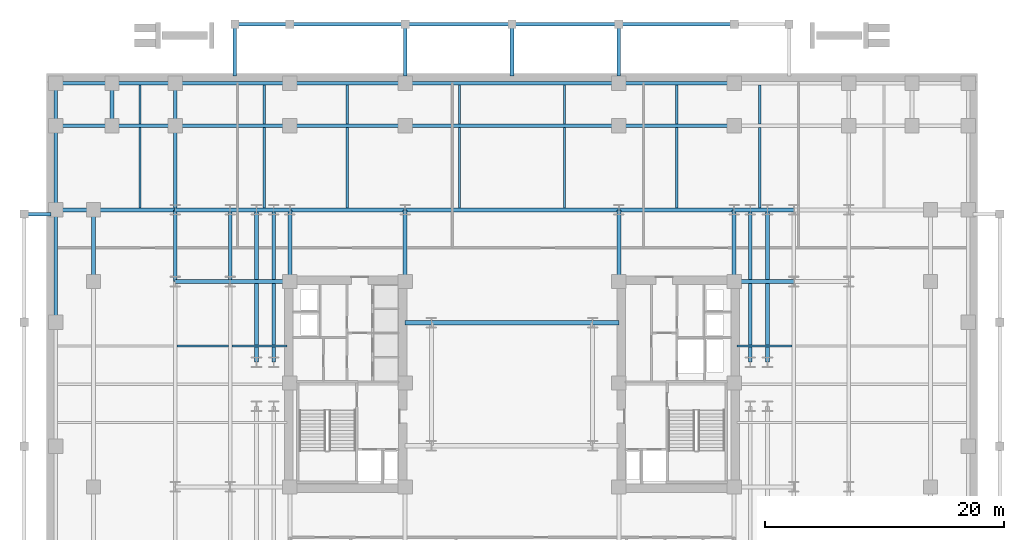
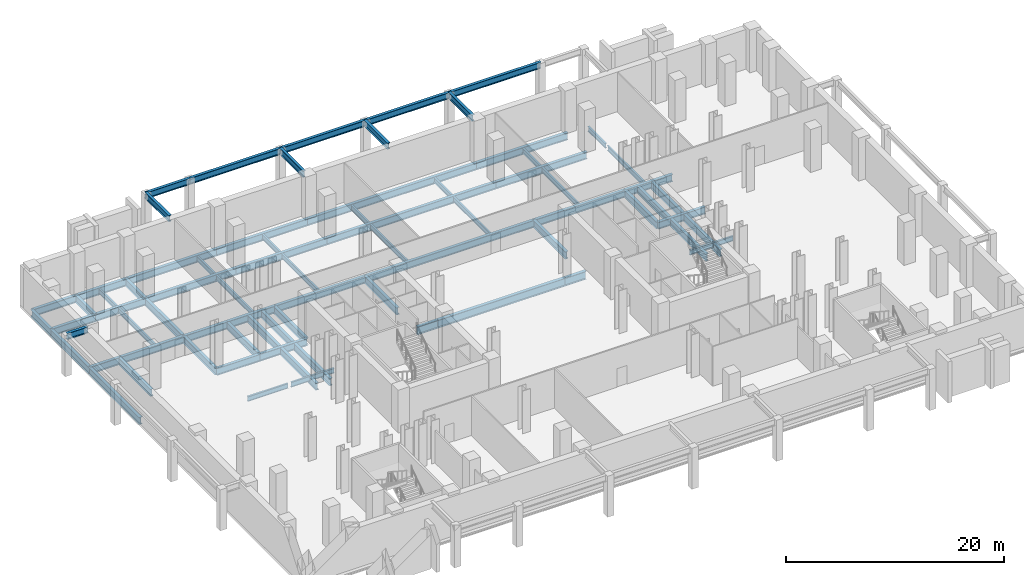
# One storey, part 3 of 13: 70 beams.
"""IFC4 building model written with IfcOpenShell, lengths in metres."""

from ifc_helpers import new_model, si_unit, direction, frame, origin, origin_2d, place, context, subcontext, project, spatial, i_section, extrude, material, material_profile, profile_set, type_object, element, save


model = new_model("IFC4")

# Units and contexts
model_context = context("Model", 3, precision=1e-05, world=origin(), true_north=direction((0.0, 1.0)))
body_context = subcontext(model_context, "Body", "Model", "MODEL_VIEW")
ifc_project = project(units=[si_unit("LENGTHUNIT", "METRE"), si_unit("AREAUNIT", "SQUARE_METRE"), si_unit("VOLUMEUNIT", "CUBIC_METRE"), si_unit("PLANEANGLEUNIT", "RADIAN"), si_unit("MASSUNIT", "GRAM", prefix="KILO")], contexts=[model_context])

# Site, building, storey
site_placement = place(None, origin())
site = spatial("IfcSite", under=ifc_project, at=site_placement, CompositionType="ELEMENT")
building_placement = place(site_placement, origin())
building = spatial("IfcBuilding", under=site, at=building_placement, Name="Velakula Bourse", CompositionType="ELEMENT")
storey_placement = place(building_placement, frame((0.0, 0.0, -4.800048828125)))
storey = spatial("IfcBuildingStorey", under=building, at=storey_placement, Name="B01", CompositionType="ELEMENT", Elevation=-4.800048828125)

# Beams
ifc_material = material(Name="Steel IS 2062 Grade 350 (E350)", Category="steel")
ifc_material_profile_1 = material_profile(ifc_material, i_section(OverallWidth=0.35009765625, OverallDepth=0.89990234375, WebThickness=0.02001953125, FlangeThickness=0.031982421875, at=origin_2d()), Name="Steel IS 2062 Grade 350 (E350)")
ifc_profile_set_1 = profile_set([ifc_material_profile_1], Name="Steel IS 2062 Grade 350 (E350)")
beam_type_1 = type_object("IfcBeamType", Name="BM-LNK-900", PredefinedType="BEAM", material=ifc_profile_set_1)
beam_1_placement = place(storey_placement, frame((-8.949951171875, 5.14990234375, -0.75), z_axis=(1.0, 0.0, 0.0), x_axis=(0.0, 1.0, 0.0)))
element("IfcBeam", 1, at=beam_1_placement, inside=storey, type_object=beam_type_1, Name="B01 Primary Backbone Girder LNK-N1", PredefinedType="BEAM", context=body_context, shape_type="SweptSolid", body=[
    extrude(i_section(OverallWidth=0.35009765625, OverallDepth=0.89990234375, WebThickness=0.02001953125, FlangeThickness=0.031982421875, at=origin_2d()), origin(), (0.0, 0.0, 1.0), 2.199951171875),
])
beam_2_placement = place(storey_placement, frame((-6.75, 5.14990234375, -0.75), z_axis=(1.0, 0.0, 0.0), x_axis=(0.0, 1.0, 0.0)))
element("IfcBeam", 2, at=beam_2_placement, inside=storey, type_object=beam_type_1, Name="B01 Primary Backbone Girder LNK-N2", PredefinedType="BEAM", context=body_context, shape_type="SweptSolid", body=[
    extrude(i_section(OverallWidth=0.35009765625, OverallDepth=0.89990234375, WebThickness=0.02001953125, FlangeThickness=0.031982421875, at=origin_2d()), origin(), (0.0, 0.0, 1.0), 13.5),
])
beam_3_placement = place(storey_placement, frame((6.75, 5.14990234375, -0.75), z_axis=(1.0, 0.0, 0.0), x_axis=(0.0, 1.0, 0.0)))
element("IfcBeam", 3, at=beam_3_placement, inside=storey, type_object=beam_type_1, Name="B01 Primary Backbone Girder LNK-N3", PredefinedType="BEAM", context=body_context, shape_type="SweptSolid", body=[
    extrude(i_section(OverallWidth=0.35009765625, OverallDepth=0.89990234375, WebThickness=0.02001953125, FlangeThickness=0.031982421875, at=origin_2d()), origin(), (0.0, 0.0, 1.0), 2.199951171875),
])
ifc_material_profile_2 = material_profile(ifc_material, i_section(OverallWidth=0.300048828125, OverallDepth=0.699951171875, WebThickness=0.01611328125, FlangeThickness=0.02490234375, at=origin_2d()), Name="Steel IS 2062 Grade 350 (E350)")
ifc_profile_set_2 = profile_set([ifc_material_profile_2], Name="Steel IS 2062 Grade 350 (E350)")
beam_type_2 = type_object("IfcBeamType", Name="BM-POD-700", PredefinedType="BEAM", material=ifc_profile_set_2)
beam_4_placement = place(storey_placement, frame((-23.35009765625, 30.14990234375, 4.25), z_axis=(1.0, 0.0, 0.0), x_axis=(0.0, 1.0, 0.0)))
element("IfcBeam", 4, at=beam_4_placement, inside=storey, type_object=beam_type_2, Name="Forecourt Sub-Plaza Support Girder PLZ-N1", PredefinedType="BEAM", context=body_context, shape_type="SweptSolid", body=[
    extrude(i_section(OverallWidth=0.300048828125, OverallDepth=0.699951171875, WebThickness=0.01611328125, FlangeThickness=0.02490234375, at=origin_2d()), origin(), (0.0, 0.0, 1.0), 4.75),
])
beam_5_placement = place(storey_placement, frame((-18.60009765625, 30.14990234375, 4.25), z_axis=(1.0, 0.0, 0.0), x_axis=(0.0, 1.0, 0.0)))
element("IfcBeam", 5, at=beam_5_placement, inside=storey, type_object=beam_type_2, Name="Forecourt Sub-Plaza Support Girder PLZ-N2", PredefinedType="BEAM", context=body_context, shape_type="SweptSolid", body=[
    extrude(i_section(OverallWidth=0.300048828125, OverallDepth=0.699951171875, WebThickness=0.01611328125, FlangeThickness=0.02490234375, at=origin_2d()), origin(), (0.0, 0.0, 1.0), 9.650146484375),
])
for number, where, z_axis, x_axis, name in (
    (6, (-8.949951171875, 30.14990234375, 4.25), (1.0, 0.0, 0.0), (0.0, 1.0, 0.0), "Forecourt Sub-Plaza Support Girder PLZ-N3"),
    (7, (0.0, 30.14990234375, 4.25), (1.0, 0.0, 0.0), (0.0, 1.0, 0.0), "Forecourt Sub-Plaza Support Girder PLZ-N4"),
):
    element("IfcBeam", number, at=place(storey_placement, frame(where, z_axis=z_axis, x_axis=x_axis)), inside=storey, type_object=beam_type_2, Name=name, PredefinedType="BEAM", context=body_context, shape_type="SweptSolid", body=[
        extrude(i_section(OverallWidth=0.300048828125, OverallDepth=0.699951171875, WebThickness=0.01611328125, FlangeThickness=0.02490234375, at=origin_2d()), origin(), (0.0, 0.0, 1.0), 8.949951171875),
    ])
beam_6_placement = place(storey_placement, frame((8.949951171875, 30.14990234375, 4.25), z_axis=(1.0, 0.0, 0.0), x_axis=(0.0, 1.0, 0.0)))
element("IfcBeam", 8, at=beam_6_placement, inside=storey, type_object=beam_type_2, Name="Forecourt Sub-Plaza Support Girder PLZ-N5", PredefinedType="BEAM", context=body_context, shape_type="SweptSolid", body=[
    extrude(i_section(OverallWidth=0.300048828125, OverallDepth=0.699951171875, WebThickness=0.01611328125, FlangeThickness=0.02490234375, at=origin_2d()), origin(), (0.0, 0.0, 1.0), 9.650146484375),
])
for number, where, z_axis, x_axis, name in (
    (9, (-23.199951171875, 25.800048828125, 4.25), (0.0, 1.0, 0.0), (-1.0, 0.0, 0.0), "Forecourt Sub-Plaza Support Girder PLZ-CN1"),
    (10, (-8.949951171875, 25.800048828125, 4.25), (0.0, 1.0, 0.0), (-1.0, 0.0, 0.0), "Forecourt Sub-Plaza Support Girder PLZ-CN2"),
    (11, (0.0, 25.800048828125, 4.25), (0.0, 1.0, 0.0), (-1.0, 0.0, 0.0), "Forecourt Sub-Plaza Support Girder PLZ-CN0"),
    (12, (8.949951171875, 25.800048828125, 4.25), (0.0, 1.0, 0.0), (-1.0, 0.0, 0.0), "Forecourt Sub-Plaza Support Girder PLZ-CN3"),
):
    element("IfcBeam", number, at=place(storey_placement, frame(where, z_axis=z_axis, x_axis=x_axis)), inside=storey, type_object=beam_type_2, Name=name, PredefinedType="BEAM", context=body_context, shape_type="SweptSolid", body=[
        extrude(i_section(OverallWidth=0.300048828125, OverallDepth=0.699951171875, WebThickness=0.01611328125, FlangeThickness=0.02490234375, at=origin_2d()), origin(), (0.0, 0.0, 1.0), 4.349853515625),
    ])
beam_7_placement = place(storey_placement, frame((-40.85009765625, 14.25, 4.25), z_axis=(1.0, 0.0, 0.0), x_axis=(0.0, 1.0, 0.0)))
element("IfcBeam", 13, at=beam_7_placement, inside=storey, type_object=beam_type_2, Name="Forecourt Sub-Plaza Support Girder PLZ-CW2", PredefinedType="BEAM", context=body_context, shape_type="SweptSolid", body=[
    extrude(i_section(OverallWidth=0.300048828125, OverallDepth=0.699951171875, WebThickness=0.01611328125, FlangeThickness=0.02490234375, at=origin_2d()), origin(), (0.0, 0.0, 1.0), 2.25),
])
ifc_material_profile_3 = material_profile(ifc_material, i_section(OverallWidth=0.320068359375, OverallDepth=0.800048828125, WebThickness=0.01806640625, FlangeThickness=0.028076171875, at=origin_2d()), Name="Steel IS 2062 Grade 350 (E350)")
ifc_profile_set_3 = profile_set([ifc_material_profile_3], Name="Steel IS 2062 Grade 350 (E350)")
beam_type_3 = type_object("IfcBeamType", Name="BM-POD-800", PredefinedType="BEAM", material=ifc_profile_set_3)
for number, where, z_axis, x_axis, name in (
    (14, (-18.60009765625, 8.60009765625, -0.699951171875), (0.0, 1.0, 0.0), (-1.0, 0.0, 0.0), "B01 Fulcrum Grid Girder FLC-WN"),
    (15, (-8.949951171875, 8.60009765625, -0.699951171875), (0.0, 1.0, 0.0), (-1.0, 0.0, 0.0), "B01 Fulcrum Grid Girder FLC-WCN"),
    (16, (8.949951171875, 8.60009765625, -0.699951171875), (0.0, 1.0, 0.0), (-1.0, 0.0, 0.0), "B01 Fulcrum Grid Girder FLC-ECN"),
    (17, (18.60009765625, 8.60009765625, -0.699951171875), (0.0, 1.0, 0.0), (-1.0, 0.0, 0.0), "B01 Fulcrum Grid Girder FLC-EN"),
):
    element("IfcBeam", number, at=place(storey_placement, frame(where, z_axis=z_axis, x_axis=x_axis)), inside=storey, type_object=beam_type_3, Name=name, PredefinedType="BEAM", context=body_context, shape_type="SweptSolid", body=[
        extrude(i_section(OverallWidth=0.320068359375, OverallDepth=0.800048828125, WebThickness=0.01806640625, FlangeThickness=0.028076171875, at=origin_2d()), origin(), (0.0, 0.0, 1.0), 6.0),
    ])
beam_8_placement = place(storey_placement, frame((-18.60009765625, 14.60009765625, -0.699951171875), z_axis=(1.0, 0.0, 0.0), x_axis=(0.0, 1.0, 0.0)))
element("IfcBeam", 18, at=beam_8_placement, inside=storey, type_object=beam_type_3, Name="B01 Fulcrum Grid Girder FLC-N1", PredefinedType="BEAM", context=body_context, shape_type="SweptSolid", body=[
    extrude(i_section(OverallWidth=0.320068359375, OverallDepth=0.800048828125, WebThickness=0.01806640625, FlangeThickness=0.028076171875, at=origin_2d()), origin(), (0.0, 0.0, 1.0), 9.650146484375),
])
beam_9_placement = place(storey_placement, frame((-8.949951171875, 14.60009765625, -0.699951171875), z_axis=(1.0, 0.0, 0.0), x_axis=(0.0, 1.0, 0.0)))
element("IfcBeam", 19, at=beam_9_placement, inside=storey, type_object=beam_type_3, Name="B01 Fulcrum Grid Girder FLC-N2", PredefinedType="BEAM", context=body_context, shape_type="SweptSolid", body=[
    extrude(i_section(OverallWidth=0.320068359375, OverallDepth=0.800048828125, WebThickness=0.01806640625, FlangeThickness=0.028076171875, at=origin_2d()), origin(), (0.0, 0.0, 1.0), 17.89990234375),
])
beam_10_placement = place(storey_placement, frame((8.949951171875, 14.60009765625, -0.699951171875), z_axis=(1.0, 0.0, 0.0), x_axis=(0.0, 1.0, 0.0)))
element("IfcBeam", 20, at=beam_10_placement, inside=storey, type_object=beam_type_3, Name="B01 Fulcrum Grid Girder FLC-N3", PredefinedType="BEAM", context=body_context, shape_type="SweptSolid", body=[
    extrude(i_section(OverallWidth=0.320068359375, OverallDepth=0.800048828125, WebThickness=0.01806640625, FlangeThickness=0.028076171875, at=origin_2d()), origin(), (0.0, 0.0, 1.0), 9.650146484375),
])
for number, where, z_axis, x_axis, name in (
    (21, (-21.39990234375, 1.85009765625, -0.699951171875), (0.0, 1.0, 0.0), (-1.0, 0.0, 0.0), "B01 Fulcrum Grid Girder FLC-PNW1"),
    (22, (-19.949951171875, 1.85009765625, -0.699951171875), (0.0, 1.0, 0.0), (-1.0, 0.0, 0.0), "B01 Fulcrum Grid Girder FLC-PNW2"),
    (23, (19.949951171875, 1.85009765625, -0.699951171875), (0.0, 1.0, 0.0), (-1.0, 0.0, 0.0), "B01 Fulcrum Grid Girder FLC-PNE1"),
    (24, (21.39990234375, 1.85009765625, -0.699951171875), (0.0, 1.0, 0.0), (-1.0, 0.0, 0.0), "B01 Fulcrum Grid Girder FLC-PNE2"),
):
    element("IfcBeam", number, at=place(storey_placement, frame(where, z_axis=z_axis, x_axis=x_axis)), inside=storey, type_object=beam_type_3, Name=name, PredefinedType="BEAM", context=body_context, shape_type="SweptSolid", body=[
        extrude(i_section(OverallWidth=0.320068359375, OverallDepth=0.800048828125, WebThickness=0.01806640625, FlangeThickness=0.028076171875, at=origin_2d()), origin(), (0.0, 0.0, 1.0), 12.75),
    ])
for number, where, z_axis, x_axis, name in (
    (25, (-23.60009765625, 8.60009765625, -0.699951171875), (1.0, 0.0, 0.0), (0.0, 1.0, 0.0), "B01 Fulcrum Grid Girder MWG-WN1"),
    (26, (-23.60009765625, 14.60009765625, -0.699951171875), (1.0, 0.0, 0.0), (0.0, 1.0, 0.0), "B01 Fulcrum Grid Girder MWG-WN2"),
):
    element("IfcBeam", number, at=place(storey_placement, frame(where, z_axis=z_axis, x_axis=x_axis)), inside=storey, type_object=beam_type_3, Name=name, PredefinedType="BEAM", context=body_context, shape_type="SweptSolid", body=[
        extrude(i_section(OverallWidth=0.320068359375, OverallDepth=0.800048828125, WebThickness=0.01806640625, FlangeThickness=0.028076171875, at=origin_2d()), origin(), (0.0, 0.0, 1.0), 5.0),
    ])
beam_11_placement = place(storey_placement, frame((-23.60009765625, 8.60009765625, -0.699951171875), z_axis=(0.0, 1.0, 0.0), x_axis=(-1.0, 0.0, 0.0)))
element("IfcBeam", 27, at=beam_11_placement, inside=storey, type_object=beam_type_3, Name="B01 Fulcrum Grid Girder MWG-WNS3", PredefinedType="BEAM", context=body_context, shape_type="SweptSolid", body=[
    extrude(i_section(OverallWidth=0.320068359375, OverallDepth=0.800048828125, WebThickness=0.01806640625, FlangeThickness=0.028076171875, at=origin_2d()), origin(), (0.0, 0.0, 1.0), 6.0),
])
for number, where, z_axis, x_axis, name in (
    (28, (18.60009765625, 8.60009765625, -0.699951171875), (1.0, 0.0, 0.0), (0.0, 1.0, 0.0), "B01 Fulcrum Grid Girder MWG-EN1"),
    (29, (18.60009765625, 14.60009765625, -0.699951171875), (1.0, 0.0, 0.0), (0.0, 1.0, 0.0), "B01 Fulcrum Grid Girder MWG-EN2"),
):
    element("IfcBeam", number, at=place(storey_placement, frame(where, z_axis=z_axis, x_axis=x_axis)), inside=storey, type_object=beam_type_3, Name=name, PredefinedType="BEAM", context=body_context, shape_type="SweptSolid", body=[
        extrude(i_section(OverallWidth=0.320068359375, OverallDepth=0.800048828125, WebThickness=0.01806640625, FlangeThickness=0.028076171875, at=origin_2d()), origin(), (0.0, 0.0, 1.0), 5.0),
    ])
for number, where, z_axis, x_axis, name in (
    (30, (-28.199951171875, 8.60009765625, -0.699951171875), (1.0, 0.0, 0.0), (0.0, 1.0, 0.0), "B01 Fulcrum Grid Girder WNG-WN1"),
    (31, (-28.199951171875, 14.60009765625, -0.699951171875), (1.0, 0.0, 0.0), (0.0, 1.0, 0.0), "B01 Fulcrum Grid Girder WNG-WN2"),
):
    element("IfcBeam", number, at=place(storey_placement, frame(where, z_axis=z_axis, x_axis=x_axis)), inside=storey, type_object=beam_type_3, Name=name, PredefinedType="BEAM", context=body_context, shape_type="SweptSolid", body=[
        extrude(i_section(OverallWidth=0.320068359375, OverallDepth=0.800048828125, WebThickness=0.01806640625, FlangeThickness=0.028076171875, at=origin_2d()), origin(), (0.0, 0.0, 1.0), 4.599853515625),
    ])
beam_12_placement = place(storey_placement, frame((-28.199951171875, 8.60009765625, -0.699951171875), z_axis=(0.0, 1.0, 0.0), x_axis=(-1.0, 0.0, 0.0)))
element("IfcBeam", 32, at=beam_12_placement, inside=storey, type_object=beam_type_3, Name="B01 Fulcrum Grid Girder WNG-WNS3", PredefinedType="BEAM", context=body_context, shape_type="SweptSolid", body=[
    extrude(i_section(OverallWidth=0.320068359375, OverallDepth=0.800048828125, WebThickness=0.01806640625, FlangeThickness=0.028076171875, at=origin_2d()), origin(), (0.0, 0.0, 1.0), 6.0),
])
beam_13_placement = place(storey_placement, frame((-38.199951171875, 14.60009765625, -0.699951171875), z_axis=(1.0, 0.0, 0.0), x_axis=(0.0, 1.0, 0.0)))
element("IfcBeam", 33, at=beam_13_placement, inside=storey, type_object=beam_type_3, Name="B01 Podium E-W Girder 34", PredefinedType="BEAM", context=body_context, shape_type="SweptSolid", body=[
    extrude(i_section(OverallWidth=0.320068359375, OverallDepth=0.800048828125, WebThickness=0.01806640625, FlangeThickness=0.028076171875, at=origin_2d()), origin(), (0.0, 0.0, 1.0), 3.14990234375),
])
beam_14_placement = place(storey_placement, frame((-35.050048828125, 14.60009765625, -0.699951171875), z_axis=(1.0, 0.0, 0.0), x_axis=(0.0, 1.0, 0.0)))
element("IfcBeam", 34, at=beam_14_placement, inside=storey, type_object=beam_type_3, Name="B01 Podium E-W Girder 35", PredefinedType="BEAM", context=body_context, shape_type="SweptSolid", body=[
    extrude(i_section(OverallWidth=0.320068359375, OverallDepth=0.800048828125, WebThickness=0.01806640625, FlangeThickness=0.028076171875, at=origin_2d()), origin(), (0.0, 0.0, 1.0), 6.85009765625),
])
beam_15_placement = place(storey_placement, frame((-38.199951171875, 21.64990234375, -0.699951171875), z_axis=(1.0, 0.0, 0.0), x_axis=(0.0, 1.0, 0.0)))
element("IfcBeam", 35, at=beam_15_placement, inside=storey, type_object=beam_type_3, Name="B01 Podium E-W Girder 47", PredefinedType="BEAM", context=body_context, shape_type="SweptSolid", body=[
    extrude(i_section(OverallWidth=0.320068359375, OverallDepth=0.800048828125, WebThickness=0.01806640625, FlangeThickness=0.028076171875, at=origin_2d()), origin(), (0.0, 0.0, 1.0), 4.699951171875),
])
beam_16_placement = place(storey_placement, frame((-33.5, 21.64990234375, -0.699951171875), z_axis=(1.0, 0.0, 0.0), x_axis=(0.0, 1.0, 0.0)))
element("IfcBeam", 36, at=beam_16_placement, inside=storey, type_object=beam_type_3, Name="B01 Podium E-W Girder 48", PredefinedType="BEAM", context=body_context, shape_type="SweptSolid", body=[
    extrude(i_section(OverallWidth=0.320068359375, OverallDepth=0.800048828125, WebThickness=0.01806640625, FlangeThickness=0.028076171875, at=origin_2d()), origin(), (0.0, 0.0, 1.0), 5.300048828125),
])
beam_17_placement = place(storey_placement, frame((-28.199951171875, 21.64990234375, -0.699951171875), z_axis=(1.0, 0.0, 0.0), x_axis=(0.0, 1.0, 0.0)))
element("IfcBeam", 37, at=beam_17_placement, inside=storey, type_object=beam_type_3, Name="B01 Podium E-W Girder 49", PredefinedType="BEAM", context=body_context, shape_type="SweptSolid", body=[
    extrude(i_section(OverallWidth=0.320068359375, OverallDepth=0.800048828125, WebThickness=0.01806640625, FlangeThickness=0.028076171875, at=origin_2d()), origin(), (0.0, 0.0, 1.0), 9.599853515625),
])
beam_18_placement = place(storey_placement, frame((-18.60009765625, 21.64990234375, -0.699951171875), z_axis=(1.0, 0.0, 0.0), x_axis=(0.0, 1.0, 0.0)))
element("IfcBeam", 38, at=beam_18_placement, inside=storey, type_object=beam_type_3, Name="B01 Podium E-W Girder 50", PredefinedType="BEAM", context=body_context, shape_type="SweptSolid", body=[
    extrude(i_section(OverallWidth=0.320068359375, OverallDepth=0.800048828125, WebThickness=0.01806640625, FlangeThickness=0.028076171875, at=origin_2d()), origin(), (0.0, 0.0, 1.0), 9.650146484375),
])
beam_19_placement = place(storey_placement, frame((-8.949951171875, 21.64990234375, -0.699951171875), z_axis=(1.0, 0.0, 0.0), x_axis=(0.0, 1.0, 0.0)))
element("IfcBeam", 39, at=beam_19_placement, inside=storey, type_object=beam_type_3, Name="B01 Podium E-W Girder 51", PredefinedType="BEAM", context=body_context, shape_type="SweptSolid", body=[
    extrude(i_section(OverallWidth=0.320068359375, OverallDepth=0.800048828125, WebThickness=0.01806640625, FlangeThickness=0.028076171875, at=origin_2d()), origin(), (0.0, 0.0, 1.0), 17.89990234375),
])
beam_20_placement = place(storey_placement, frame((8.949951171875, 21.64990234375, -0.699951171875), z_axis=(1.0, 0.0, 0.0), x_axis=(0.0, 1.0, 0.0)))
element("IfcBeam", 40, at=beam_20_placement, inside=storey, type_object=beam_type_3, Name="B01 Podium E-W Girder 52", PredefinedType="BEAM", context=body_context, shape_type="SweptSolid", body=[
    extrude(i_section(OverallWidth=0.320068359375, OverallDepth=0.800048828125, WebThickness=0.01806640625, FlangeThickness=0.028076171875, at=origin_2d()), origin(), (0.0, 0.0, 1.0), 9.650146484375),
])
beam_21_placement = place(storey_placement, frame((-38.199951171875, 25.199951171875, -0.699951171875), z_axis=(1.0, 0.0, 0.0), x_axis=(0.0, 1.0, 0.0)))
element("IfcBeam", 41, at=beam_21_placement, inside=storey, type_object=beam_type_3, Name="B01 Podium E-W Girder 56", PredefinedType="BEAM", context=body_context, shape_type="SweptSolid", body=[
    extrude(i_section(OverallWidth=0.320068359375, OverallDepth=0.800048828125, WebThickness=0.01806640625, FlangeThickness=0.028076171875, at=origin_2d()), origin(), (0.0, 0.0, 1.0), 4.699951171875),
])
beam_22_placement = place(storey_placement, frame((-33.5, 25.199951171875, -0.699951171875), z_axis=(1.0, 0.0, 0.0), x_axis=(0.0, 1.0, 0.0)))
element("IfcBeam", 42, at=beam_22_placement, inside=storey, type_object=beam_type_3, Name="B01 Podium E-W Girder 57", PredefinedType="BEAM", context=body_context, shape_type="SweptSolid", body=[
    extrude(i_section(OverallWidth=0.320068359375, OverallDepth=0.800048828125, WebThickness=0.01806640625, FlangeThickness=0.028076171875, at=origin_2d()), origin(), (0.0, 0.0, 1.0), 5.300048828125),
])
beam_23_placement = place(storey_placement, frame((-28.199951171875, 25.199951171875, -0.699951171875), z_axis=(1.0, 0.0, 0.0), x_axis=(0.0, 1.0, 0.0)))
element("IfcBeam", 43, at=beam_23_placement, inside=storey, type_object=beam_type_3, Name="B01 Podium E-W Girder 58", PredefinedType="BEAM", context=body_context, shape_type="SweptSolid", body=[
    extrude(i_section(OverallWidth=0.320068359375, OverallDepth=0.800048828125, WebThickness=0.01806640625, FlangeThickness=0.028076171875, at=origin_2d()), origin(), (0.0, 0.0, 1.0), 9.599853515625),
])
beam_24_placement = place(storey_placement, frame((-18.60009765625, 25.199951171875, -0.699951171875), z_axis=(1.0, 0.0, 0.0), x_axis=(0.0, 1.0, 0.0)))
element("IfcBeam", 44, at=beam_24_placement, inside=storey, type_object=beam_type_3, Name="B01 Podium E-W Girder 59", PredefinedType="BEAM", context=body_context, shape_type="SweptSolid", body=[
    extrude(i_section(OverallWidth=0.320068359375, OverallDepth=0.800048828125, WebThickness=0.01806640625, FlangeThickness=0.028076171875, at=origin_2d()), origin(), (0.0, 0.0, 1.0), 9.650146484375),
])
beam_25_placement = place(storey_placement, frame((-8.949951171875, 25.199951171875, -0.699951171875), z_axis=(1.0, 0.0, 0.0), x_axis=(0.0, 1.0, 0.0)))
element("IfcBeam", 45, at=beam_25_placement, inside=storey, type_object=beam_type_3, Name="B01 Podium E-W Girder 60", PredefinedType="BEAM", context=body_context, shape_type="SweptSolid", body=[
    extrude(i_section(OverallWidth=0.320068359375, OverallDepth=0.800048828125, WebThickness=0.01806640625, FlangeThickness=0.028076171875, at=origin_2d()), origin(), (0.0, 0.0, 1.0), 17.89990234375),
])
beam_26_placement = place(storey_placement, frame((8.949951171875, 25.199951171875, -0.699951171875), z_axis=(1.0, 0.0, 0.0), x_axis=(0.0, 1.0, 0.0)))
element("IfcBeam", 46, at=beam_26_placement, inside=storey, type_object=beam_type_3, Name="B01 Podium E-W Girder 61", PredefinedType="BEAM", context=body_context, shape_type="SweptSolid", body=[
    extrude(i_section(OverallWidth=0.320068359375, OverallDepth=0.800048828125, WebThickness=0.01806640625, FlangeThickness=0.028076171875, at=origin_2d()), origin(), (0.0, 0.0, 1.0), 9.650146484375),
])
beam_27_placement = place(storey_placement, frame((-38.199951171875, 5.199951171875, -0.699951171875), z_axis=(0.0, 1.0, 0.0), x_axis=(-1.0, 0.0, 0.0)))
element("IfcBeam", 47, at=beam_27_placement, inside=storey, type_object=beam_type_3, Name="B01 Podium N-S Girder 69", PredefinedType="BEAM", context=body_context, shape_type="SweptSolid", body=[
    extrude(i_section(OverallWidth=0.320068359375, OverallDepth=0.800048828125, WebThickness=0.01806640625, FlangeThickness=0.028076171875, at=origin_2d()), origin(), (0.0, 0.0, 1.0), 9.400146484375),
])
beam_28_placement = place(storey_placement, frame((-38.199951171875, 14.60009765625, -0.699951171875), z_axis=(0.0, 1.0, 0.0), x_axis=(-1.0, 0.0, 0.0)))
element("IfcBeam", 48, at=beam_28_placement, inside=storey, type_object=beam_type_3, Name="B01 Podium N-S Girder 70", PredefinedType="BEAM", context=body_context, shape_type="SweptSolid", body=[
    extrude(i_section(OverallWidth=0.320068359375, OverallDepth=0.800048828125, WebThickness=0.01806640625, FlangeThickness=0.028076171875, at=origin_2d()), origin(), (0.0, 0.0, 1.0), 7.0498046875),
])
beam_29_placement = place(storey_placement, frame((-38.199951171875, 21.64990234375, -0.699951171875), z_axis=(0.0, 1.0, 0.0), x_axis=(-1.0, 0.0, 0.0)))
element("IfcBeam", 49, at=beam_29_placement, inside=storey, type_object=beam_type_3, Name="B01 Podium N-S Girder 71", PredefinedType="BEAM", context=body_context, shape_type="SweptSolid", body=[
    extrude(i_section(OverallWidth=0.320068359375, OverallDepth=0.800048828125, WebThickness=0.01806640625, FlangeThickness=0.028076171875, at=origin_2d()), origin(), (0.0, 0.0, 1.0), 3.550048828125),
])
beam_30_placement = place(storey_placement, frame((-35.050048828125, 8.60009765625, -0.699951171875), z_axis=(0.0, 1.0, 0.0), x_axis=(-1.0, 0.0, 0.0)))
element("IfcBeam", 50, at=beam_30_placement, inside=storey, type_object=beam_type_3, Name="B01 Podium N-S Girder 74", PredefinedType="BEAM", context=body_context, shape_type="SweptSolid", body=[
    extrude(i_section(OverallWidth=0.320068359375, OverallDepth=0.800048828125, WebThickness=0.01806640625, FlangeThickness=0.028076171875, at=origin_2d()), origin(), (0.0, 0.0, 1.0), 6.0),
])
beam_31_placement = place(storey_placement, frame((-28.199951171875, 14.60009765625, -0.699951171875), z_axis=(0.0, 1.0, 0.0), x_axis=(-1.0, 0.0, 0.0)))
element("IfcBeam", 51, at=beam_31_placement, inside=storey, type_object=beam_type_3, Name="B01 Podium N-S Girder 80", PredefinedType="BEAM", context=body_context, shape_type="SweptSolid", body=[
    extrude(i_section(OverallWidth=0.320068359375, OverallDepth=0.800048828125, WebThickness=0.01806640625, FlangeThickness=0.028076171875, at=origin_2d()), origin(), (0.0, 0.0, 1.0), 7.0498046875),
])
for number, where, z_axis, x_axis, name in (
    (52, (-28.199951171875, 21.64990234375, -0.699951171875), (0.0, 1.0, 0.0), (-1.0, 0.0, 0.0), "B01 Podium N-S Girder 81"),
    (53, (-33.5, 21.64990234375, -0.699951171875), (0.0, 1.0, 0.0), (-1.0, 0.0, 0.0), "B01 Podium N-S Girder 99"),
):
    element("IfcBeam", number, at=place(storey_placement, frame(where, z_axis=z_axis, x_axis=x_axis)), inside=storey, type_object=beam_type_3, Name=name, PredefinedType="BEAM", context=body_context, shape_type="SweptSolid", body=[
        extrude(i_section(OverallWidth=0.320068359375, OverallDepth=0.800048828125, WebThickness=0.01806640625, FlangeThickness=0.028076171875, at=origin_2d()), origin(), (0.0, 0.0, 1.0), 3.550048828125),
    ])
ifc_material_profile_4 = material_profile(ifc_material, i_section(OverallWidth=0.18994140625, OverallDepth=0.550048828125, WebThickness=0.01123046875, FlangeThickness=0.019287109375, at=origin_2d()), Name="Steel IS 2062 Grade 350 (E350)")
ifc_profile_set_4 = profile_set([ifc_material_profile_4], Name="Steel IS 2062 Grade 350 (E350)")
beam_type_4 = type_object("IfcBeamType", Name="JST-POD-550", PredefinedType="JOIST", material=ifc_profile_set_4)
beam_32_placement = place(storey_placement, frame((-31.14990234375, 14.760009765625, -0.574951171875), z_axis=(0.0, 1.0, 0.0), x_axis=(-1.0, 0.0, 0.0)))
element("IfcBeam", 54, at=beam_32_placement, inside=storey, type_object=beam_type_4, Name="B01 Station Podium Floor Joist 03", PredefinedType="JOIST", context=body_context, shape_type="SweptSolid", body=[
    extrude(i_section(OverallWidth=0.18994140625, OverallDepth=0.550048828125, WebThickness=0.01123046875, FlangeThickness=0.019287109375, at=origin_2d()), origin(), (0.0, 0.0, 1.0), 6.72998046875),
])
beam_33_placement = place(storey_placement, frame((-31.14990234375, 21.81005859375, -0.574951171875), z_axis=(0.0, 1.0, 0.0), x_axis=(-1.0, 0.0, 0.0)))
element("IfcBeam", 55, at=beam_33_placement, inside=storey, type_object=beam_type_4, Name="B01 Station Podium Floor Joist 04", PredefinedType="JOIST", context=body_context, shape_type="SweptSolid", body=[
    extrude(i_section(OverallWidth=0.18994140625, OverallDepth=0.550048828125, WebThickness=0.01123046875, FlangeThickness=0.019287109375, at=origin_2d()), origin(), (0.0, 0.0, 1.0), 3.22998046875),
])
beam_34_placement = place(storey_placement, frame((-20.75, 14.760009765625, -0.574951171875), z_axis=(0.0, 1.0, 0.0), x_axis=(-1.0, 0.0, 0.0)))
element("IfcBeam", 56, at=beam_34_placement, inside=storey, type_object=beam_type_4, Name="B01 Station Podium Floor Joist 07", PredefinedType="JOIST", context=body_context, shape_type="SweptSolid", body=[
    extrude(i_section(OverallWidth=0.18994140625, OverallDepth=0.550048828125, WebThickness=0.01123046875, FlangeThickness=0.019287109375, at=origin_2d()), origin(), (0.0, 0.0, 1.0), 6.72998046875),
])
beam_35_placement = place(storey_placement, frame((-20.75, 21.81005859375, -0.574951171875), z_axis=(0.0, 1.0, 0.0), x_axis=(-1.0, 0.0, 0.0)))
element("IfcBeam", 57, at=beam_35_placement, inside=storey, type_object=beam_type_4, Name="B01 Station Podium Floor Joist 08", PredefinedType="JOIST", context=body_context, shape_type="SweptSolid", body=[
    extrude(i_section(OverallWidth=0.18994140625, OverallDepth=0.550048828125, WebThickness=0.01123046875, FlangeThickness=0.019287109375, at=origin_2d()), origin(), (0.0, 0.0, 1.0), 3.22998046875),
])
beam_36_placement = place(storey_placement, frame((-13.800048828125, 14.760009765625, -0.574951171875), z_axis=(0.0, 1.0, 0.0), x_axis=(-1.0, 0.0, 0.0)))
element("IfcBeam", 58, at=beam_36_placement, inside=storey, type_object=beam_type_4, Name="B01 Station Podium Floor Joist 11", PredefinedType="JOIST", context=body_context, shape_type="SweptSolid", body=[
    extrude(i_section(OverallWidth=0.18994140625, OverallDepth=0.550048828125, WebThickness=0.01123046875, FlangeThickness=0.019287109375, at=origin_2d()), origin(), (0.0, 0.0, 1.0), 6.72998046875),
])
beam_37_placement = place(storey_placement, frame((-13.800048828125, 21.81005859375, -0.574951171875), z_axis=(0.0, 1.0, 0.0), x_axis=(-1.0, 0.0, 0.0)))
element("IfcBeam", 59, at=beam_37_placement, inside=storey, type_object=beam_type_4, Name="B01 Station Podium Floor Joist 12", PredefinedType="JOIST", context=body_context, shape_type="SweptSolid", body=[
    extrude(i_section(OverallWidth=0.18994140625, OverallDepth=0.550048828125, WebThickness=0.01123046875, FlangeThickness=0.019287109375, at=origin_2d()), origin(), (0.0, 0.0, 1.0), 3.22998046875),
])
beam_38_placement = place(storey_placement, frame((-4.39990234375, 14.760009765625, -0.574951171875), z_axis=(0.0, 1.0, 0.0), x_axis=(-1.0, 0.0, 0.0)))
element("IfcBeam", 60, at=beam_38_placement, inside=storey, type_object=beam_type_4, Name="B01 Station Podium Floor Joist 15", PredefinedType="JOIST", context=body_context, shape_type="SweptSolid", body=[
    extrude(i_section(OverallWidth=0.18994140625, OverallDepth=0.550048828125, WebThickness=0.01123046875, FlangeThickness=0.019287109375, at=origin_2d()), origin(), (0.0, 0.0, 1.0), 6.72998046875),
])
beam_39_placement = place(storey_placement, frame((-4.39990234375, 21.81005859375, -0.574951171875), z_axis=(0.0, 1.0, 0.0), x_axis=(-1.0, 0.0, 0.0)))
element("IfcBeam", 61, at=beam_39_placement, inside=storey, type_object=beam_type_4, Name="B01 Station Podium Floor Joist 16", PredefinedType="JOIST", context=body_context, shape_type="SweptSolid", body=[
    extrude(i_section(OverallWidth=0.18994140625, OverallDepth=0.550048828125, WebThickness=0.01123046875, FlangeThickness=0.019287109375, at=origin_2d()), origin(), (0.0, 0.0, 1.0), 3.22998046875),
])
beam_40_placement = place(storey_placement, frame((4.39990234375, 14.760009765625, -0.574951171875), z_axis=(0.0, 1.0, 0.0), x_axis=(-1.0, 0.0, 0.0)))
element("IfcBeam", 62, at=beam_40_placement, inside=storey, type_object=beam_type_4, Name="B01 Station Podium Floor Joist 19", PredefinedType="JOIST", context=body_context, shape_type="SweptSolid", body=[
    extrude(i_section(OverallWidth=0.18994140625, OverallDepth=0.550048828125, WebThickness=0.01123046875, FlangeThickness=0.019287109375, at=origin_2d()), origin(), (0.0, 0.0, 1.0), 6.72998046875),
])
beam_41_placement = place(storey_placement, frame((4.39990234375, 21.81005859375, -0.574951171875), z_axis=(0.0, 1.0, 0.0), x_axis=(-1.0, 0.0, 0.0)))
element("IfcBeam", 63, at=beam_41_placement, inside=storey, type_object=beam_type_4, Name="B01 Station Podium Floor Joist 20", PredefinedType="JOIST", context=body_context, shape_type="SweptSolid", body=[
    extrude(i_section(OverallWidth=0.18994140625, OverallDepth=0.550048828125, WebThickness=0.01123046875, FlangeThickness=0.019287109375, at=origin_2d()), origin(), (0.0, 0.0, 1.0), 3.22998046875),
])
beam_42_placement = place(storey_placement, frame((13.800048828125, 14.760009765625, -0.574951171875), z_axis=(0.0, 1.0, 0.0), x_axis=(-1.0, 0.0, 0.0)))
element("IfcBeam", 64, at=beam_42_placement, inside=storey, type_object=beam_type_4, Name="B01 Station Podium Floor Joist 23", PredefinedType="JOIST", context=body_context, shape_type="SweptSolid", body=[
    extrude(i_section(OverallWidth=0.18994140625, OverallDepth=0.550048828125, WebThickness=0.01123046875, FlangeThickness=0.019287109375, at=origin_2d()), origin(), (0.0, 0.0, 1.0), 6.72998046875),
])
beam_43_placement = place(storey_placement, frame((13.800048828125, 21.81005859375, -0.574951171875), z_axis=(0.0, 1.0, 0.0), x_axis=(-1.0, 0.0, 0.0)))
element("IfcBeam", 65, at=beam_43_placement, inside=storey, type_object=beam_type_4, Name="B01 Station Podium Floor Joist 24", PredefinedType="JOIST", context=body_context, shape_type="SweptSolid", body=[
    extrude(i_section(OverallWidth=0.18994140625, OverallDepth=0.550048828125, WebThickness=0.01123046875, FlangeThickness=0.019287109375, at=origin_2d()), origin(), (0.0, 0.0, 1.0), 3.22998046875),
])
beam_44_placement = place(storey_placement, frame((20.75, 14.760009765625, -0.574951171875), z_axis=(0.0, 1.0, 0.0), x_axis=(-1.0, 0.0, 0.0)))
element("IfcBeam", 66, at=beam_44_placement, inside=storey, type_object=beam_type_4, Name="B01 Station Podium Floor Joist 27", PredefinedType="JOIST", context=body_context, shape_type="SweptSolid", body=[
    extrude(i_section(OverallWidth=0.18994140625, OverallDepth=0.550048828125, WebThickness=0.01123046875, FlangeThickness=0.019287109375, at=origin_2d()), origin(), (0.0, 0.0, 1.0), 6.72998046875),
])
beam_45_placement = place(storey_placement, frame((20.75, 21.81005859375, -0.574951171875), z_axis=(0.0, 1.0, 0.0), x_axis=(-1.0, 0.0, 0.0)))
element("IfcBeam", 67, at=beam_45_placement, inside=storey, type_object=beam_type_4, Name="B01 Station Podium Floor Joist 28", PredefinedType="JOIST", context=body_context, shape_type="SweptSolid", body=[
    extrude(i_section(OverallWidth=0.18994140625, OverallDepth=0.550048828125, WebThickness=0.01123046875, FlangeThickness=0.019287109375, at=origin_2d()), origin(), (0.0, 0.0, 1.0), 3.22998046875),
])
beam_46_placement = place(storey_placement, frame((-28.0400390625, 3.199951171875, -0.574951171875), z_axis=(1.0, 0.0, 0.0), x_axis=(0.0, 1.0, 0.0)))
element("IfcBeam", 68, at=beam_46_placement, inside=storey, type_object=beam_type_4, Name="B01 Station Wing Floor Joist 51", PredefinedType="JOIST", context=body_context, shape_type="SweptSolid", body=[
    extrude(i_section(OverallWidth=0.18994140625, OverallDepth=0.550048828125, WebThickness=0.01123046875, FlangeThickness=0.019287109375, at=origin_2d()), origin(), (0.0, 0.0, 1.0), 4.280029296875),
])
for number, where, z_axis, x_axis, name in (
    (69, (-23.43994140625, 3.199951171875, -0.574951171875), (1.0, 0.0, 0.0), (0.0, 1.0, 0.0), "B01 Station Wing Floor Joist 52"),
    (70, (18.85009765625, 3.199951171875, -0.574951171875), (1.0, 0.0, 0.0), (0.0, 1.0, 0.0), "B01 Station Wing Floor Joist 53"),
):
    element("IfcBeam", number, at=place(storey_placement, frame(where, z_axis=z_axis, x_axis=x_axis)), inside=storey, type_object=beam_type_4, Name=name, PredefinedType="JOIST", context=body_context, shape_type="SweptSolid", body=[
        extrude(i_section(OverallWidth=0.18994140625, OverallDepth=0.550048828125, WebThickness=0.01123046875, FlangeThickness=0.019287109375, at=origin_2d()), origin(), (0.0, 0.0, 1.0), 4.58984375),
    ])

save(model, "model.ifc")
